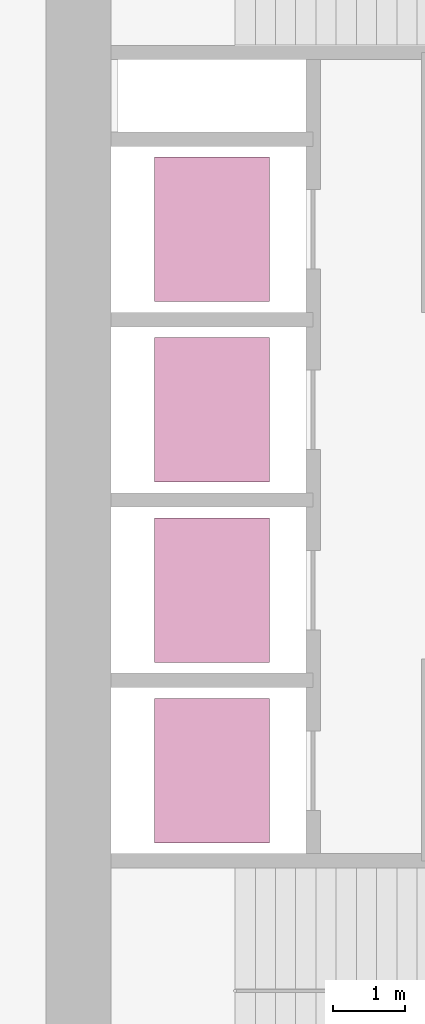
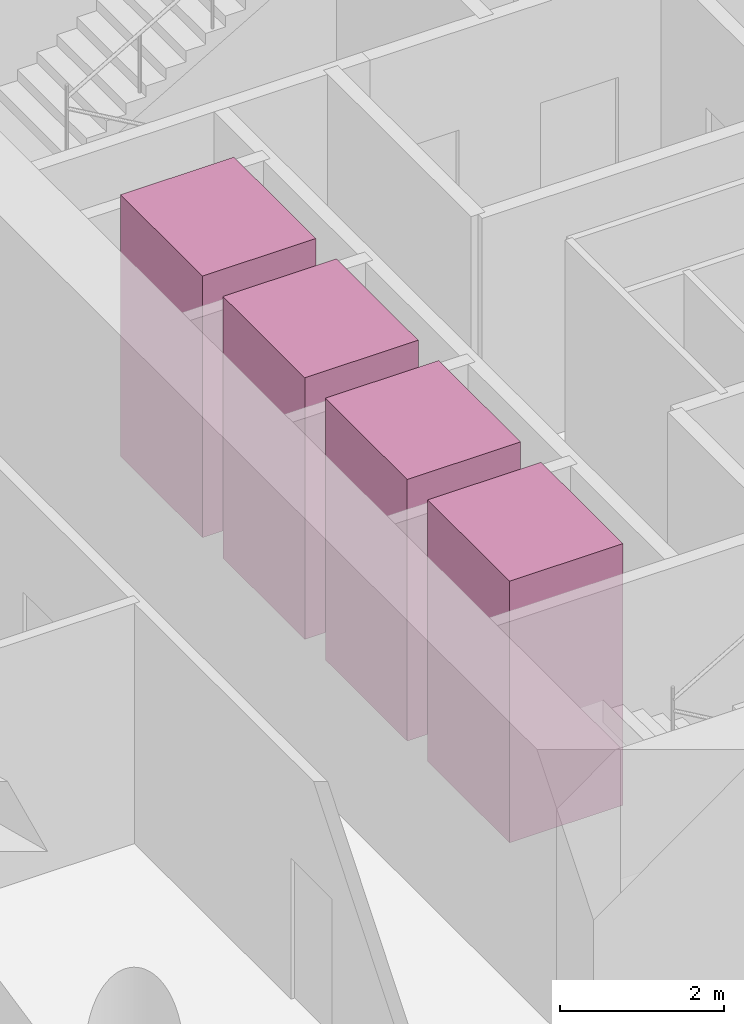
# One storey, part 10 of 10: 4 transport elements.
"""IFC4 building model written with IfcOpenShell, lengths in metres."""

from ifc_helpers import new_model, si_unit, direction, frame, origin, origin_2d, place, context, subcontext, project, spatial, rectangle, extrude, material, type_object, element, save


model = new_model("IFC4")

# Units and contexts
model_context = context("Model", 3, precision=1e-05, world=origin(), true_north=direction((0.0, 1.0)))
body_context = subcontext(model_context, "Body", "Model", "MODEL_VIEW")
ifc_project = project(units=[si_unit("LENGTHUNIT", "METRE"), si_unit("AREAUNIT", "SQUARE_METRE"), si_unit("VOLUMEUNIT", "CUBIC_METRE"), si_unit("PLANEANGLEUNIT", "RADIAN"), si_unit("MASSUNIT", "GRAM", prefix="KILO")], contexts=[model_context])

# Site, building, storey
site_placement = place(None, origin())
site = spatial("IfcSite", under=ifc_project, at=site_placement, CompositionType="ELEMENT")
building_placement = place(site_placement, origin())
building = spatial("IfcBuilding", under=site, at=building_placement, Name="Qaws Garden Tower", CompositionType="ELEMENT")
storey_placement = place(building_placement, frame((0.0, 0.0, 70.5)))
storey = spatial("IfcBuildingStorey", under=building, at=storey_placement, Name="L17", CompositionType="ELEMENT", Elevation=70.5)

# Transport elements
ifc_material = material(Name="Stainless steel 316", Category="steel")
transport_element_type = type_object("IfcTransportElementType", Name="Passenger lift car 2000x1600 1800 kg", PredefinedType="ELEVATOR", material=ifc_material)
for number, where, z_axis, x_axis, name in (
    (1, (10.300048828125, 13.64990234375, 0.0), (0.0, 0.0, 1.0), (1.0, 0.0, 0.0), "LR1"),
    (2, (10.300048828125, 16.14990234375, 0.0), (0.0, 0.0, 1.0), (1.0, 0.0, 0.0), "LR2"),
    (3, (10.300048828125, 18.64990234375, 0.0), (0.0, 0.0, 1.0), (1.0, 0.0, 0.0), "LR3"),
    (4, (10.300048828125, 21.14990234375, 0.0), (0.0, 0.0, 1.0), (1.0, 0.0, 0.0), "LR4"),
):
    element("IfcTransportElement", number, at=place(storey_placement, frame(where, z_axis=z_axis, x_axis=x_axis)), inside=storey, type_object=transport_element_type, Name=name, PredefinedType="ELEVATOR", context=body_context, shape_type="SweptSolid", body=[
        extrude(rectangle(XDim=1.60009765625, YDim=2.0, at=origin_2d()), origin(), (0.0, 0.0, 1.0), 3.89990234375),
    ])

save(model, "model.ifc")
